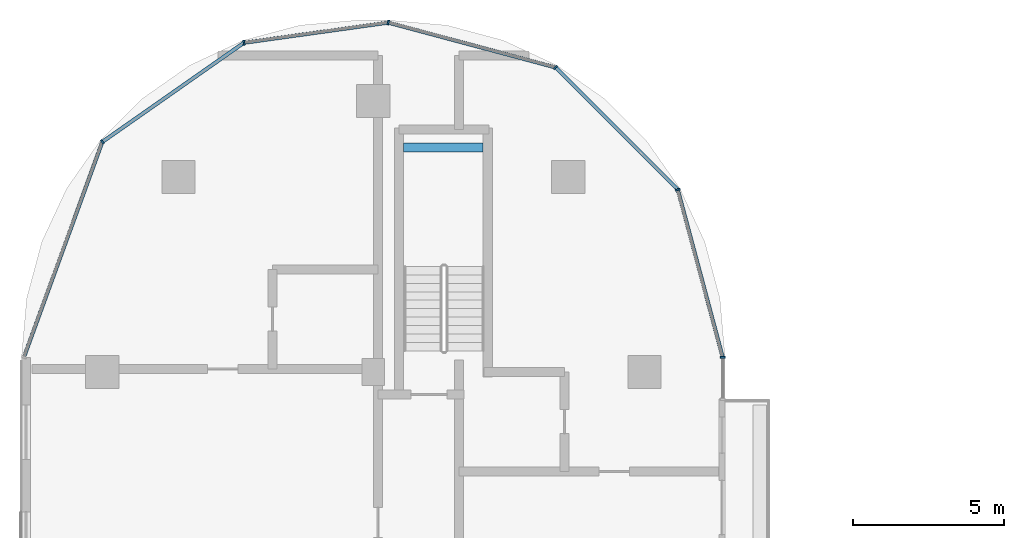
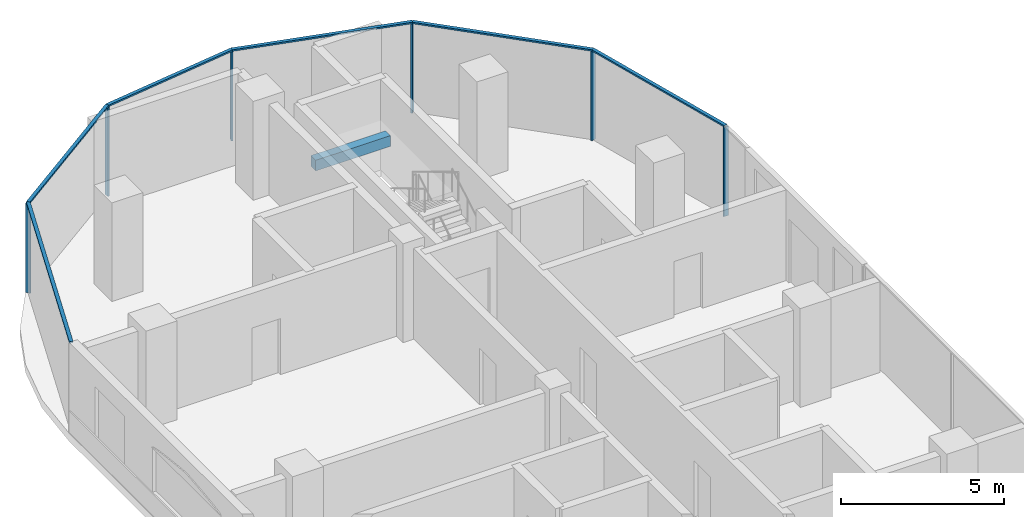
# One storey, part 6 of 25: 12 members, 1 beam, 2 elements without a shape of their own.
"""IFC4 building model written with IfcOpenShell, lengths in metres."""

from ifc_helpers import new_model, si_unit, direction, frame, origin, origin_2d, place, context, subcontext, project, spatial, rectangle, extrude, material, material_profile, profile_set, type_object, element, aggregate, save


model = new_model("IFC4")

# Units and contexts
model_context = context("Model", 3, precision=1e-05, world=origin(), true_north=direction((0.0, 1.0)))
body_context = subcontext(model_context, "Body", "Model", "MODEL_VIEW")
ifc_project = project(units=[si_unit("LENGTHUNIT", "METRE"), si_unit("AREAUNIT", "SQUARE_METRE"), si_unit("VOLUMEUNIT", "CUBIC_METRE"), si_unit("PLANEANGLEUNIT", "RADIAN"), si_unit("MASSUNIT", "GRAM", prefix="KILO")], contexts=[model_context])

# Site, building, storey
site_placement = place(None, origin())
site = spatial("IfcSite", under=ifc_project, at=site_placement, CompositionType="ELEMENT")
building_placement = place(site_placement, origin())
building = spatial("IfcBuilding", under=site, at=building_placement, Name="Ogive Portal Towers", CompositionType="ELEMENT")
storey_placement = place(building_placement, frame((0.0, 0.0, 182.89990234375)))
storey = spatial("IfcBuildingStorey", under=building, at=storey_placement, Name="L45", CompositionType="ELEMENT", Elevation=182.89990234375)

# Beam
ifc_material_1 = material(Name="Concrete C40/50", Category="concrete")
ifc_material_profile_1 = material_profile(ifc_material_1, rectangle(XDim=0.300048828125, YDim=0.39990234375, at=origin_2d()), Name="RC 300x400")
ifc_profile_set_1 = profile_set([ifc_material_profile_1], Name="Concrete C40/50")
beam_type = type_object("IfcBeamType", Name="BEAM RC 300x400", PredefinedType="BEAM", material=ifc_profile_set_1)
beam_placement = place(storey_placement, frame((41.5, 73.949951171875, 1.4501953125), z_axis=(1.0, 0.0, 0.0), x_axis=(0.0, 1.0, 0.0)))
element("IfcBeam", 1, at=beam_placement, inside=storey, type_object=beam_type, Name="Landing beam L45", PredefinedType="BEAM", context=body_context, shape_type="SweptSolid", body=[
    extrude(rectangle(XDim=0.300048828125, YDim=0.39990234375, at=origin_2d()), origin(), (0.0, 0.0, 1.0), 2.64990234375),
])

# Curtain wall, member
ifc_material_2 = material(Name="Glass, clear low-iron insulated glazing", Category="glass")
curtain_wall_type = type_object("IfcCurtainWallType", Name="CW FRONT RIBBON 4500", PredefinedType="NOTDEFINED", material=ifc_material_2)
curtain_wall_1_placement = place(storey_placement, origin())
curtain_wall_1 = element("IfcCurtainWall", 2, at=curtain_wall_1_placement, inside=storey, type_object=curtain_wall_type, Name="A:L45:f20:cw1", PredefinedType="NOTDEFINED")
ifc_material_3 = material(Name="Aluminium 6063 anodised", Category="aluminium")
ifc_material_profile_2 = material_profile(ifc_material_3, rectangle(XDim=0.159912109375, YDim=0.06005859375, at=origin_2d()), Name="AL 60x160")
ifc_profile_set_2 = profile_set([ifc_material_profile_2], Name="Aluminium 6063 anodised")
member_type_1 = type_object("IfcMemberType", Name="CW MULLION 60x160", PredefinedType="MULLION", material=ifc_profile_set_2)
member_1_placement = place(storey_placement, frame((52.10009765625, 66.989501953125, 0.0), z_axis=(0.0, 0.0, 1.0), x_axis=(-1.0, 0.0, 0.0)))
member_1 = element("IfcMember", 3, at=member_1_placement, type_object=member_type_1, Name="mullion", PredefinedType="MULLION", context=body_context, shape_type="SweptSolid", body=[
    extrude(rectangle(XDim=0.159912109375, YDim=0.06005859375, at=origin_2d()), origin(), (0.0, 0.0, 1.0), 3.340087890625),
])
aggregate(curtain_wall_1, [member_1])

# Curtain wall, members
curtain_wall_2_placement = place(storey_placement, origin())
curtain_wall_2 = element("IfcCurtainWall", 4, at=curtain_wall_2_placement, inside=storey, type_object=curtain_wall_type, Name="A:L45:f21:cwa", PredefinedType="NOTDEFINED")
member_2_placement = place(storey_placement, frame((50.6103515625, 72.548583984375, 0.0), z_axis=(0.0, 0.0, 1.0), x_axis=(-0.965925826289, -0.258819045103, 0.0)))
member_2 = element("IfcMember", 5, at=member_2_placement, type_object=member_type_1, Name="mullion", PredefinedType="MULLION", context=body_context, shape_type="SweptSolid", body=[
    extrude(rectangle(XDim=0.159912109375, YDim=0.06005859375, at=origin_2d()), origin(), (0.0, 0.0, 1.0), 3.340087890625),
])
member_3_placement = place(storey_placement, frame((46.548583984375, 76.6103515625, 0.0), z_axis=(0.0, 0.0, 1.0), x_axis=(-0.707106781187, -0.707106781187, 0.0)))
member_3 = element("IfcMember", 6, at=member_3_placement, type_object=member_type_1, Name="mullion", PredefinedType="MULLION", context=body_context, shape_type="SweptSolid", body=[
    extrude(rectangle(XDim=0.159912109375, YDim=0.06005859375, at=origin_2d()), origin(), (0.0, 0.0, 1.0), 3.340087890625),
])
member_4_placement = place(storey_placement, frame((40.994873046875, 78.0986328125, 0.0), z_axis=(0.0, 0.0, 1.0), x_axis=(-0.258819045103, -0.965925826289, 0.0)))
member_4 = element("IfcMember", 7, at=member_4_placement, type_object=member_type_1, Name="mullion", PredefinedType="MULLION", context=body_context, shape_type="SweptSolid", body=[
    extrude(rectangle(XDim=0.159912109375, YDim=0.06005859375, at=origin_2d()), origin(), (0.0, 0.0, 1.0), 3.340087890625),
])
member_5_placement = place(storey_placement, frame((36.206298828125, 77.42919921875, 0.0), z_axis=(0.0, 0.0, 1.0), x_axis=(0.13842766445, -0.990372546931, 0.0)))
member_5 = element("IfcMember", 8, at=member_5_placement, type_object=member_type_1, Name="mullion", PredefinedType="MULLION", context=body_context, shape_type="SweptSolid", body=[
    extrude(rectangle(XDim=0.159912109375, YDim=0.06005859375, at=origin_2d()), origin(), (0.0, 0.0, 1.0), 3.340087890625),
])
member_6_placement = place(storey_placement, frame((31.502197265625, 74.13525390625, 0.0), z_axis=(0.0, 0.0, 1.0), x_axis=(0.573576436351, -0.819152044289, 0.0)))
member_6 = element("IfcMember", 9, at=member_6_placement, type_object=member_type_1, Name="mullion", PredefinedType="MULLION", context=body_context, shape_type="SweptSolid", body=[
    extrude(rectangle(XDim=0.159912109375, YDim=0.06005859375, at=origin_2d()), origin(), (0.0, 0.0, 1.0), 3.340087890625),
])
ifc_material_profile_3 = material_profile(ifc_material_3, rectangle(XDim=0.1201171875, YDim=0.06005859375, at=origin_2d()), Name="AL 120x60")
ifc_profile_set_3 = profile_set([ifc_material_profile_3], Name="Aluminium 6063 anodised")
member_type_2 = type_object("IfcMemberType", Name="CW TRANSOM 60x120", PredefinedType="USERDEFINED", material=ifc_profile_set_3)
member_7_placement = place(storey_placement, frame((52.10009765625, 66.989501953125, 3.3701171875), z_axis=(-0.258850584986, 0.965917374651, 0.0), x_axis=(-0.965917374651, -0.258850584986, 0.0)))
member_7 = element("IfcMember", 10, at=member_7_placement, type_object=member_type_2, Name="transom", ObjectType="TRANSOM", PredefinedType="USERDEFINED", context=body_context, shape_type="SweptSolid", body=[
    extrude(rectangle(XDim=0.1201171875, YDim=0.06005859375, at=origin_2d()), origin(), (0.0, 0.0, 1.0), 5.755126953125),
])
member_8_placement = place(storey_placement, frame((50.6103515625, 72.548583984375, 3.3701171875), z_axis=(-0.707106781187, 0.707106781187, 0.0), x_axis=(-0.707106781187, -0.707106781187, 0.0)))
member_8 = element("IfcMember", 11, at=member_8_placement, type_object=member_type_2, Name="transom", ObjectType="TRANSOM", PredefinedType="USERDEFINED", context=body_context, shape_type="SweptSolid", body=[
    extrude(rectangle(XDim=0.1201171875, YDim=0.06005859375, at=origin_2d()), origin(), (0.0, 0.0, 1.0), 5.744140625),
])
member_9_placement = place(storey_placement, frame((46.548583984375, 76.6103515625, 3.3701171875), z_axis=(-0.965918482464, 0.258846451077, 0.0), x_axis=(-0.258846451077, -0.965918482464, 0.0)))
member_9 = element("IfcMember", 12, at=member_9_placement, type_object=member_type_2, Name="transom", ObjectType="TRANSOM", PredefinedType="USERDEFINED", context=body_context, shape_type="SweptSolid", body=[
    extrude(rectangle(XDim=0.1201171875, YDim=0.06005859375, at=origin_2d()), origin(), (0.0, 0.0, 1.0), 5.749755859375),
])
member_10_placement = place(storey_placement, frame((40.994873046875, 78.0986328125, 3.3701171875), z_axis=(-0.99036918244, -0.138451733367, 0.0), x_axis=(0.138451733367, -0.99036918244, 0.0)))
member_10 = element("IfcMember", 13, at=member_10_placement, type_object=member_type_2, Name="transom", ObjectType="TRANSOM", PredefinedType="USERDEFINED", context=body_context, shape_type="SweptSolid", body=[
    extrude(rectangle(XDim=0.1201171875, YDim=0.06005859375, at=origin_2d()), origin(), (0.0, 0.0, 1.0), 4.835205078125),
])
member_11_placement = place(storey_placement, frame((36.206298828125, 77.42919921875, 3.3701171875), z_axis=(-0.819144031298, -0.573587879918, 0.0), x_axis=(0.573587879918, -0.819144031298, 0.0)))
member_11 = element("IfcMember", 14, at=member_11_placement, type_object=member_type_2, Name="transom", ObjectType="TRANSOM", PredefinedType="USERDEFINED", context=body_context, shape_type="SweptSolid", body=[
    extrude(rectangle(XDim=0.1201171875, YDim=0.06005859375, at=origin_2d()), origin(), (0.0, 0.0, 1.0), 5.74267578125),
])
member_12_placement = place(storey_placement, frame((31.502197265625, 74.13525390625, 3.3701171875), z_axis=(-0.342034187854, -0.939687508877, 0.0), x_axis=(0.939687508877, -0.342034187854, 0.0)))
member_12 = element("IfcMember", 15, at=member_12_placement, type_object=member_type_2, Name="transom", ObjectType="TRANSOM", PredefinedType="USERDEFINED", context=body_context, shape_type="SweptSolid", body=[
    extrude(rectangle(XDim=0.1201171875, YDim=0.06005859375, at=origin_2d()), origin(), (0.0, 0.0, 1.0), 7.6083984375),
])
aggregate(curtain_wall_2, [member_7, member_8, member_9, member_10, member_11, member_12, member_2, member_3, member_4, member_5, member_6])

save(model, "model.ifc")
